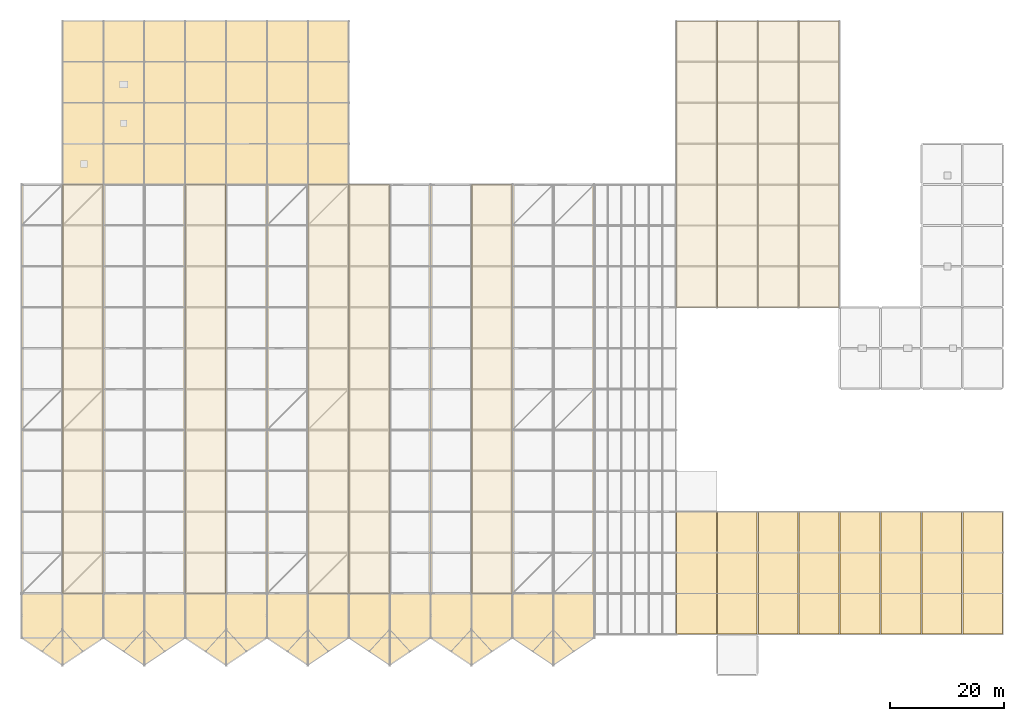
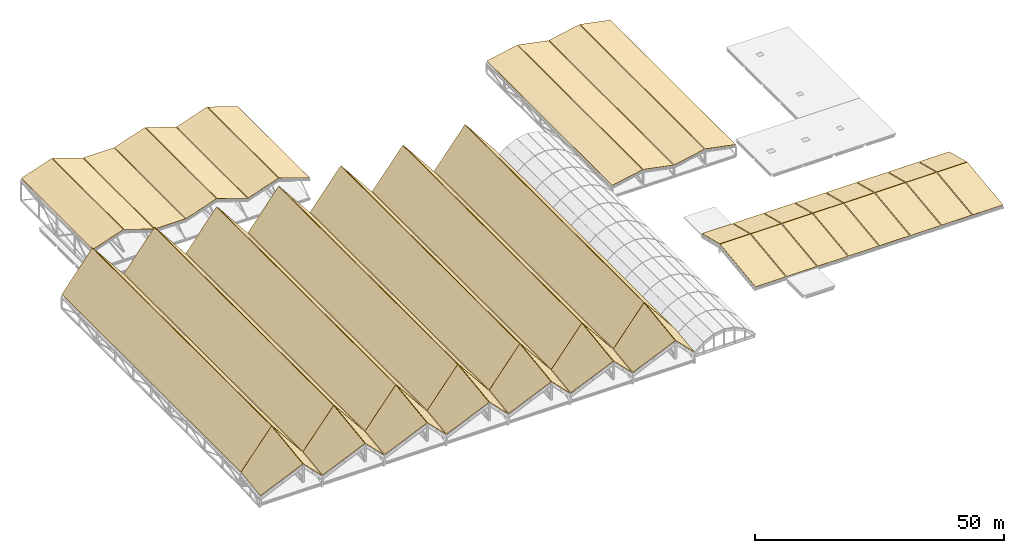
# One storey, part 60 of 60: 55 coverings.
"""IFC4 building model written with IfcOpenShell, lengths in metres."""

from ifc_helpers import new_model, si_unit, direction, frame, origin, place, context, subcontext, project, spatial, polyline, outline, extrude, material, layer, layer_set, type_object, element, save


model = new_model("IFC4")

# Units and contexts
model_context = context("Model", 3, precision=1e-05, world=origin(), true_north=direction((0.0, 1.0)))
body_context = subcontext(model_context, "Body", "Model", "MODEL_VIEW")
ifc_project = project(units=[si_unit("LENGTHUNIT", "METRE"), si_unit("AREAUNIT", "SQUARE_METRE"), si_unit("VOLUMEUNIT", "CUBIC_METRE"), si_unit("PLANEANGLEUNIT", "RADIAN"), si_unit("MASSUNIT", "GRAM", prefix="KILO")], contexts=[model_context])

# Site, building, storey
site_placement = place(None, origin())
site = spatial("IfcSite", under=ifc_project, at=site_placement, CompositionType="ELEMENT")
building_placement = place(site_placement, origin())
building = spatial("IfcBuilding", under=site, at=building_placement, Name="Vesperath Aquatics Centre", CompositionType="ELEMENT")
storey_placement = place(building_placement, frame((0.0, 0.0, 27.60009765625)))
storey = spatial("IfcBuildingStorey", under=building, at=storey_placement, Name="RF", CompositionType="ELEMENT", Elevation=27.60009765625)

# Coverings
ifc_material = material(Name="Dark patinated zinc-copper standing-seam cladding")
ifc_layer = layer(ifc_material, 0.06005859375)
ifc_layer_set = layer_set([ifc_layer], Name="Dark patinated zinc-copper standing-seam cladding")
covering_type = type_object("IfcCoveringType", Name="CV-RF01", PredefinedType="ROOFING", material=ifc_layer_set)
covering_1_placement = place(storey_placement, frame((0.06005859375, 6.60009765625, -10.1357421875), z_axis=(-0.77817761473, -0.083056395715, 0.622528099819), x_axis=(0.597157793615, -0.404869760727, 0.692447143379)))
element("IfcCovering", 1, at=covering_1_placement, inside=storey, type_object=covering_type, Name="Natatorium Zinc-Copper Standing-Seam Roofing Bay 1-W-HOOD", PredefinedType="ROOFING", context=body_context, shape_type="SweptSolid", body=[
    extrude(outline(polyline([(0.0, 0.0), (11.855798551259017, 4.440892098500626e-16), (7.918608011201905, 12.086401965225722), (-2.4373948707613535, 7.481895251595564), (0.0, 0.0)])), origin(), (0.0, 0.0, -1.0), 0.06005859375),
])
covering_2_placement = place(storey_placement, frame((0.06005859375, 14.419921875, -9.09521484375), z_axis=(-0.780879317381, 0.0, 0.624681912406), x_axis=(0.624681912406, 0.0, 0.780879317381)))
element("IfcCovering", 2, at=covering_2_placement, inside=storey, type_object=covering_type, Name="Natatorium Zinc-Copper Standing-Seam Roofing Bay 1-W-HALL", PredefinedType="ROOFING", context=body_context, shape_type="SweptSolid", body=[
    extrude(outline(polyline([(0.0, 0.0), (11.333502449440461, 0.0), (11.333502449440461, 71.97998046875), (0.0, 71.97998046875), (0.0, 0.0)])), origin(), (0.0, 0.0, -1.0), 0.06005859375),
])
covering_3_placement = place(storey_placement, frame((7.260009765625, 1.800048828125, -1.92626953125), z_axis=(0.77816703012, -0.083058130073, 0.622541099256), x_axis=(0.597171042558, 0.404864782043, -0.692438628466)))
element("IfcCovering", 3, at=covering_3_placement, inside=storey, type_object=covering_type, Name="Natatorium Zinc-Copper Standing-Seam Roofing Bay 1-E-HOOD", PredefinedType="ROOFING", context=body_context, shape_type="SweptSolid", body=[
    extrude(outline(polyline([(0.0, 0.0), (11.855944344413377, -8.881784197001252e-16), (14.29330924240528, 7.481905015829772), (3.937142124223529, 12.0864177367569), (0.0, 0.0)])), origin(), (0.0, 0.0, -1.0), 0.06005859375),
])
covering_4_placement = place(storey_placement, frame((7.260009765625, 14.419921875, -0.2451171875), z_axis=(0.780868809443, 0.0, 0.624695047554), x_axis=(0.624695047554, 0.0, -0.780868809443)))
element("IfcCovering", 4, at=covering_4_placement, inside=storey, type_object=covering_type, Name="Natatorium Zinc-Copper Standing-Seam Roofing Bay 1-E-HALL", PredefinedType="ROOFING", context=body_context, shape_type="SweptSolid", body=[
    extrude(outline(polyline([(0.0, 0.0), (11.333654961276405, 0.0), (11.333654961276405, 71.97998046875), (0.0, 71.97998046875), (0.0, 0.0)])), origin(), (0.0, 0.0, -1.0), 0.06005859375),
])
covering_5_placement = place(storey_placement, frame((14.4599609375, 6.60009765625, -10.1357421875), z_axis=(-0.77816703012, -0.083058130073, 0.622541099256), x_axis=(0.597171042558, -0.404864782043, 0.692438628466)))
element("IfcCovering", 5, at=covering_5_placement, inside=storey, type_object=covering_type, Name="Natatorium Zinc-Copper Standing-Seam Roofing Bay 2-W-HOOD", PredefinedType="ROOFING", context=body_context, shape_type="SweptSolid", body=[
    extrude(outline(polyline([(0.0, 0.0), (11.855944344413377, 8.881784197001252e-16), (7.918802220189848, 12.0864177367569), (-2.437364897991903, 7.481905015829772), (0.0, 0.0)])), origin(), (0.0, 0.0, -1.0), 0.06005859375),
])
covering_6_placement = place(storey_placement, frame((14.4599609375, 14.419921875, -9.09521484375), z_axis=(-0.780868809443, 0.0, 0.624695047554), x_axis=(0.624695047554, 0.0, 0.780868809443)))
element("IfcCovering", 6, at=covering_6_placement, inside=storey, type_object=covering_type, Name="Natatorium Zinc-Copper Standing-Seam Roofing Bay 2-W-HALL", PredefinedType="ROOFING", context=body_context, shape_type="SweptSolid", body=[
    extrude(outline(polyline([(0.0, 0.0), (11.333654961276405, 0.0), (11.333654961276405, 71.97998046875), (0.0, 71.97998046875), (0.0, 0.0)])), origin(), (0.0, 0.0, -1.0), 0.06005859375),
])
covering_7_placement = place(storey_placement, frame((21.659912109375, 1.800048828125, -1.92626953125), z_axis=(0.77816703012, -0.083058130073, 0.622541099256), x_axis=(0.597171042558, 0.404864782043, -0.692438628466)))
element("IfcCovering", 7, at=covering_7_placement, inside=storey, type_object=covering_type, Name="Natatorium Zinc-Copper Standing-Seam Roofing Bay 2-E-HOOD", PredefinedType="ROOFING", context=body_context, shape_type="SweptSolid", body=[
    extrude(outline(polyline([(0.0, 0.0), (11.855944344413377, -8.881784197001252e-16), (14.29330924240528, 7.481905015829772), (3.937142124223529, 12.0864177367569), (0.0, 0.0)])), origin(), (0.0, 0.0, -1.0), 0.06005859375),
])
covering_8_placement = place(storey_placement, frame((21.659912109375, 14.419921875, -0.2451171875), z_axis=(0.780868809443, 0.0, 0.624695047554), x_axis=(0.624695047554, 0.0, -0.780868809443)))
element("IfcCovering", 8, at=covering_8_placement, inside=storey, type_object=covering_type, Name="Natatorium Zinc-Copper Standing-Seam Roofing Bay 2-E-HALL", PredefinedType="ROOFING", context=body_context, shape_type="SweptSolid", body=[
    extrude(outline(polyline([(0.0, 0.0), (11.333654961276405, 0.0), (11.333654961276405, 71.97998046875), (0.0, 71.97998046875), (0.0, 0.0)])), origin(), (0.0, 0.0, -1.0), 0.06005859375),
])
covering_9_placement = place(storey_placement, frame((28.860107421875, 6.60009765625, -10.1357421875), z_axis=(-0.77817761473, -0.083056395715, 0.622528099819), x_axis=(0.597157793615, -0.404869760727, 0.692447143379)))
element("IfcCovering", 9, at=covering_9_placement, inside=storey, type_object=covering_type, Name="Natatorium Zinc-Copper Standing-Seam Roofing Bay 3-W-HOOD", PredefinedType="ROOFING", context=body_context, shape_type="SweptSolid", body=[
    extrude(outline(polyline([(0.0, 0.0), (11.855798551259017, 4.440892098500626e-16), (7.918608011201905, 12.086401965225722), (-2.4373948707613535, 7.481895251595564), (0.0, 0.0)])), origin(), (0.0, 0.0, -1.0), 0.06005859375),
])
covering_10_placement = place(storey_placement, frame((28.860107421875, 14.419921875, -9.09521484375), z_axis=(-0.780879317381, 0.0, 0.624681912406), x_axis=(0.624681912406, 0.0, 0.780879317381)))
element("IfcCovering", 10, at=covering_10_placement, inside=storey, type_object=covering_type, Name="Natatorium Zinc-Copper Standing-Seam Roofing Bay 3-W-HALL", PredefinedType="ROOFING", context=body_context, shape_type="SweptSolid", body=[
    extrude(outline(polyline([(0.0, 0.0), (11.333502449440461, 0.0), (11.333502449440461, 71.97998046875), (0.0, 71.97998046875), (0.0, 0.0)])), origin(), (0.0, 0.0, -1.0), 0.06005859375),
])
covering_11_placement = place(storey_placement, frame((36.06005859375, 1.800048828125, -1.92626953125), z_axis=(0.77817761473, -0.083056395715, 0.622528099819), x_axis=(0.597157793615, 0.404869760727, -0.692447143379)))
element("IfcCovering", 11, at=covering_11_placement, inside=storey, type_object=covering_type, Name="Natatorium Zinc-Copper Standing-Seam Roofing Bay 3-E-HOOD", PredefinedType="ROOFING", context=body_context, shape_type="SweptSolid", body=[
    extrude(outline(polyline([(0.0, 0.0), (11.855798551259017, -4.440892098500626e-16), (14.29319342202037, 7.481895251595563), (3.9371905400571108, 12.08640196522572), (0.0, 0.0)])), origin(), (0.0, 0.0, -1.0), 0.06005859375),
])
covering_12_placement = place(storey_placement, frame((36.06005859375, 14.419921875, -0.2451171875), z_axis=(0.780879317381, 0.0, 0.624681912406), x_axis=(0.624681912406, 0.0, -0.780879317381)))
element("IfcCovering", 12, at=covering_12_placement, inside=storey, type_object=covering_type, Name="Natatorium Zinc-Copper Standing-Seam Roofing Bay 3-E-HALL", PredefinedType="ROOFING", context=body_context, shape_type="SweptSolid", body=[
    extrude(outline(polyline([(0.0, 0.0), (11.333502449440461, 0.0), (11.333502449440461, 71.97998046875), (0.0, 71.97998046875), (0.0, 0.0)])), origin(), (0.0, 0.0, -1.0), 0.06005859375),
])
covering_13_placement = place(storey_placement, frame((43.260009765625, 6.60009765625, -10.1357421875), z_axis=(-0.77816703012, -0.083058130073, 0.622541099256), x_axis=(0.597171042558, -0.404864782043, 0.692438628466)))
element("IfcCovering", 13, at=covering_13_placement, inside=storey, type_object=covering_type, Name="Natatorium Zinc-Copper Standing-Seam Roofing Bay 4-W-HOOD", PredefinedType="ROOFING", context=body_context, shape_type="SweptSolid", body=[
    extrude(outline(polyline([(0.0, 0.0), (11.855944344413377, 8.881784197001252e-16), (7.918802220189848, 12.0864177367569), (-2.437364897991903, 7.481905015829772), (0.0, 0.0)])), origin(), (0.0, 0.0, -1.0), 0.06005859375),
])
covering_14_placement = place(storey_placement, frame((43.260009765625, 14.419921875, -9.09521484375), z_axis=(-0.780868809443, 0.0, 0.624695047554), x_axis=(0.624695047554, 0.0, 0.780868809443)))
element("IfcCovering", 14, at=covering_14_placement, inside=storey, type_object=covering_type, Name="Natatorium Zinc-Copper Standing-Seam Roofing Bay 4-W-HALL", PredefinedType="ROOFING", context=body_context, shape_type="SweptSolid", body=[
    extrude(outline(polyline([(0.0, 0.0), (11.333654961276405, 0.0), (11.333654961276405, 71.97998046875), (0.0, 71.97998046875), (0.0, 0.0)])), origin(), (0.0, 0.0, -1.0), 0.06005859375),
])
covering_15_placement = place(storey_placement, frame((50.4599609375, 1.800048828125, -1.92626953125), z_axis=(0.77816703012, -0.083058130073, 0.622541099256), x_axis=(0.597171042558, 0.404864782043, -0.692438628466)))
element("IfcCovering", 15, at=covering_15_placement, inside=storey, type_object=covering_type, Name="Natatorium Zinc-Copper Standing-Seam Roofing Bay 4-E-HOOD", PredefinedType="ROOFING", context=body_context, shape_type="SweptSolid", body=[
    extrude(outline(polyline([(0.0, 0.0), (11.855944344413377, -8.881784197001252e-16), (14.29330924240528, 7.481905015829772), (3.937142124223529, 12.0864177367569), (0.0, 0.0)])), origin(), (0.0, 0.0, -1.0), 0.06005859375),
])
covering_16_placement = place(storey_placement, frame((50.4599609375, 14.419921875, -0.2451171875), z_axis=(0.780868809443, 0.0, 0.624695047554), x_axis=(0.624695047554, 0.0, -0.780868809443)))
element("IfcCovering", 16, at=covering_16_placement, inside=storey, type_object=covering_type, Name="Natatorium Zinc-Copper Standing-Seam Roofing Bay 4-E-HALL", PredefinedType="ROOFING", context=body_context, shape_type="SweptSolid", body=[
    extrude(outline(polyline([(0.0, 0.0), (11.333654961276405, 0.0), (11.333654961276405, 71.97998046875), (0.0, 71.97998046875), (0.0, 0.0)])), origin(), (0.0, 0.0, -1.0), 0.06005859375),
])
covering_17_placement = place(storey_placement, frame((57.659912109375, 6.60009765625, -10.1357421875), z_axis=(-0.77816703012, -0.083058130073, 0.622541099256), x_axis=(0.597171042558, -0.404864782043, 0.692438628466)))
element("IfcCovering", 17, at=covering_17_placement, inside=storey, type_object=covering_type, Name="Natatorium Zinc-Copper Standing-Seam Roofing Bay 5-W-HOOD", PredefinedType="ROOFING", context=body_context, shape_type="SweptSolid", body=[
    extrude(outline(polyline([(0.0, 0.0), (11.855944344413377, 8.881784197001252e-16), (7.918802220189848, 12.0864177367569), (-2.437364897991903, 7.481905015829772), (0.0, 0.0)])), origin(), (0.0, 0.0, -1.0), 0.06005859375),
])
covering_18_placement = place(storey_placement, frame((57.659912109375, 14.419921875, -9.09521484375), z_axis=(-0.780868809443, 0.0, 0.624695047554), x_axis=(0.624695047554, 0.0, 0.780868809443)))
element("IfcCovering", 18, at=covering_18_placement, inside=storey, type_object=covering_type, Name="Natatorium Zinc-Copper Standing-Seam Roofing Bay 5-W-HALL", PredefinedType="ROOFING", context=body_context, shape_type="SweptSolid", body=[
    extrude(outline(polyline([(0.0, 0.0), (11.333654961276405, 0.0), (11.333654961276405, 71.97998046875), (0.0, 71.97998046875), (0.0, 0.0)])), origin(), (0.0, 0.0, -1.0), 0.06005859375),
])
covering_19_placement = place(storey_placement, frame((64.860107421875, 1.800048828125, -1.92626953125), z_axis=(0.77817761473, -0.083056395715, 0.622528099819), x_axis=(0.597157793615, 0.404869760727, -0.692447143379)))
element("IfcCovering", 19, at=covering_19_placement, inside=storey, type_object=covering_type, Name="Natatorium Zinc-Copper Standing-Seam Roofing Bay 5-E-HOOD", PredefinedType="ROOFING", context=body_context, shape_type="SweptSolid", body=[
    extrude(outline(polyline([(0.0, 0.0), (11.855798551259017, -4.440892098500626e-16), (14.29319342202037, 7.481895251595563), (3.9371905400571108, 12.08640196522572), (0.0, 0.0)])), origin(), (0.0, 0.0, -1.0), 0.06005859375),
])
covering_20_placement = place(storey_placement, frame((64.860107421875, 14.419921875, -0.2451171875), z_axis=(0.780879317381, 0.0, 0.624681912406), x_axis=(0.624681912406, 0.0, -0.780879317381)))
element("IfcCovering", 20, at=covering_20_placement, inside=storey, type_object=covering_type, Name="Natatorium Zinc-Copper Standing-Seam Roofing Bay 5-E-HALL", PredefinedType="ROOFING", context=body_context, shape_type="SweptSolid", body=[
    extrude(outline(polyline([(0.0, 0.0), (11.333502449440461, 0.0), (11.333502449440461, 71.97998046875), (0.0, 71.97998046875), (0.0, 0.0)])), origin(), (0.0, 0.0, -1.0), 0.06005859375),
])
covering_21_placement = place(storey_placement, frame((72.06005859375, 6.60009765625, -10.1357421875), z_axis=(-0.77817761473, -0.083056395715, 0.622528099819), x_axis=(0.597157793615, -0.404869760727, 0.692447143379)))
element("IfcCovering", 21, at=covering_21_placement, inside=storey, type_object=covering_type, Name="Natatorium Zinc-Copper Standing-Seam Roofing Bay 6-W-HOOD", PredefinedType="ROOFING", context=body_context, shape_type="SweptSolid", body=[
    extrude(outline(polyline([(0.0, 0.0), (11.855798551259017, 4.440892098500626e-16), (7.918608011201905, 12.086401965225722), (-2.4373948707613535, 7.481895251595564), (0.0, 0.0)])), origin(), (0.0, 0.0, -1.0), 0.06005859375),
])
covering_22_placement = place(storey_placement, frame((72.06005859375, 14.419921875, -9.09521484375), z_axis=(-0.780879317381, 0.0, 0.624681912406), x_axis=(0.624681912406, 0.0, 0.780879317381)))
element("IfcCovering", 22, at=covering_22_placement, inside=storey, type_object=covering_type, Name="Natatorium Zinc-Copper Standing-Seam Roofing Bay 6-W-HALL", PredefinedType="ROOFING", context=body_context, shape_type="SweptSolid", body=[
    extrude(outline(polyline([(0.0, 0.0), (11.333502449440461, 0.0), (11.333502449440461, 71.97998046875), (0.0, 71.97998046875), (0.0, 0.0)])), origin(), (0.0, 0.0, -1.0), 0.06005859375),
])
covering_23_placement = place(storey_placement, frame((79.260009765625, 1.800048828125, -1.92626953125), z_axis=(0.77816703012, -0.083058130073, 0.622541099256), x_axis=(0.597171042558, 0.404864782043, -0.692438628466)))
element("IfcCovering", 23, at=covering_23_placement, inside=storey, type_object=covering_type, Name="Natatorium Zinc-Copper Standing-Seam Roofing Bay 6-E-HOOD", PredefinedType="ROOFING", context=body_context, shape_type="SweptSolid", body=[
    extrude(outline(polyline([(0.0, 0.0), (11.855944344413377, -8.881784197001252e-16), (14.29330924240528, 7.481905015829772), (3.937142124223529, 12.0864177367569), (0.0, 0.0)])), origin(), (0.0, 0.0, -1.0), 0.06005859375),
])
covering_24_placement = place(storey_placement, frame((79.260009765625, 14.419921875, -0.2451171875), z_axis=(0.780868809443, 0.0, 0.624695047554), x_axis=(0.624695047554, 0.0, -0.780868809443)))
element("IfcCovering", 24, at=covering_24_placement, inside=storey, type_object=covering_type, Name="Natatorium Zinc-Copper Standing-Seam Roofing Bay 6-E-HALL", PredefinedType="ROOFING", context=body_context, shape_type="SweptSolid", body=[
    extrude(outline(polyline([(0.0, 0.0), (11.333654961276405, 0.0), (11.333654961276405, 71.97998046875), (0.0, 71.97998046875), (0.0, 0.0)])), origin(), (0.0, 0.0, -1.0), 0.06005859375),
])
covering_25_placement = place(storey_placement, frame((86.4599609375, 6.60009765625, -10.1357421875), z_axis=(-0.77816703012, -0.083058130073, 0.622541099256), x_axis=(0.597171042558, -0.404864782043, 0.692438628466)))
element("IfcCovering", 25, at=covering_25_placement, inside=storey, type_object=covering_type, Name="Natatorium Zinc-Copper Standing-Seam Roofing Bay 7-W-HOOD", PredefinedType="ROOFING", context=body_context, shape_type="SweptSolid", body=[
    extrude(outline(polyline([(0.0, 0.0), (11.855944344413377, 8.881784197001252e-16), (7.918802220189848, 12.0864177367569), (-2.437364897991903, 7.481905015829772), (0.0, 0.0)])), origin(), (0.0, 0.0, -1.0), 0.06005859375),
])
covering_26_placement = place(storey_placement, frame((86.4599609375, 14.419921875, -9.09521484375), z_axis=(-0.780868809443, 0.0, 0.624695047554), x_axis=(0.624695047554, 0.0, 0.780868809443)))
element("IfcCovering", 26, at=covering_26_placement, inside=storey, type_object=covering_type, Name="Natatorium Zinc-Copper Standing-Seam Roofing Bay 7-W-HALL", PredefinedType="ROOFING", context=body_context, shape_type="SweptSolid", body=[
    extrude(outline(polyline([(0.0, 0.0), (11.333654961276405, 0.0), (11.333654961276405, 71.97998046875), (0.0, 71.97998046875), (0.0, 0.0)])), origin(), (0.0, 0.0, -1.0), 0.06005859375),
])
covering_27_placement = place(storey_placement, frame((93.659912109375, 1.800048828125, -1.92626953125), z_axis=(0.77816703012, -0.083058130073, 0.622541099256), x_axis=(0.597171042558, 0.404864782043, -0.692438628466)))
element("IfcCovering", 27, at=covering_27_placement, inside=storey, type_object=covering_type, Name="Natatorium Zinc-Copper Standing-Seam Roofing Bay 7-E-HOOD", PredefinedType="ROOFING", context=body_context, shape_type="SweptSolid", body=[
    extrude(outline(polyline([(0.0, 0.0), (11.855944344413377, -8.881784197001252e-16), (14.29330924240528, 7.481905015829772), (3.937142124223529, 12.0864177367569), (0.0, 0.0)])), origin(), (0.0, 0.0, -1.0), 0.06005859375),
])
covering_28_placement = place(storey_placement, frame((93.659912109375, 14.419921875, -0.2451171875), z_axis=(0.780868809443, 0.0, 0.624695047554), x_axis=(0.624695047554, 0.0, -0.780868809443)))
element("IfcCovering", 28, at=covering_28_placement, inside=storey, type_object=covering_type, Name="Natatorium Zinc-Copper Standing-Seam Roofing Bay 7-E-HALL", PredefinedType="ROOFING", context=body_context, shape_type="SweptSolid", body=[
    extrude(outline(polyline([(0.0, 0.0), (11.333654961276405, 0.0), (11.333654961276405, 71.97998046875), (0.0, 71.97998046875), (0.0, 0.0)])), origin(), (0.0, 0.0, -1.0), 0.06005859375),
])
for number, where, z_axis, x_axis, name in (
    (29, (7.280029296875, 86.39990234375, -0.650146484375), (-0.322689967467, 0.0, 0.946504719955), (0.946504719955, 0.0, 0.322689967467), "Diving Hall Zinc-Copper Roofing Bay 1"),
    (30, (14.47998046875, 86.39990234375, 1.75), (0.322689967467, 0.0, 0.946504719955), (0.946504719955, 0.0, -0.322689967467), "Diving Hall Zinc-Copper Roofing Bay 2"),
):
    element("IfcCovering", number, at=place(storey_placement, frame(where, z_axis=z_axis, x_axis=x_axis)), inside=storey, type_object=covering_type, Name=name, PredefinedType="ROOFING", context=body_context, shape_type="SweptSolid", body=[
        extrude(outline(polyline([(0.0, 0.0), (7.437933392279306, 0.0), (7.437933392279306, 28.800048828125007), (0.0, 28.800048828125007), (0.0, 0.0)])), origin(), (0.0, 0.0, -1.0), 0.06005859375),
    ])
covering_29_placement = place(storey_placement, frame((21.679931640625, 86.39990234375, -0.650146484375), z_axis=(0.0, 0.0, 1.0), x_axis=(1.0, 0.0, 0.0)))
element("IfcCovering", 31, at=covering_29_placement, inside=storey, type_object=covering_type, Name="Diving Hall Zinc-Copper Roofing Bay 3", PredefinedType="ROOFING", context=body_context, shape_type="SweptSolid", body=[
    extrude(outline(polyline([(0.0, 0.0), (7.0400390625, 0.0), (7.0400390625, 28.800048828125), (0.0, 28.800048828125), (0.0, 0.0)])), origin(), (0.0, 0.0, -1.0), 0.06005859375),
])
for number, where, z_axis, x_axis, name in (
    (32, (28.8798828125, 86.39990234375, -0.650146484375), (-0.322689967467, 0.0, 0.946504719955), (0.946504719955, 0.0, 0.322689967467), "Diving Hall Zinc-Copper Roofing Bay 4"),
    (33, (36.080078125, 86.39990234375, 1.75), (0.322689967467, 0.0, 0.946504719955), (0.946504719955, 0.0, -0.322689967467), "Diving Hall Zinc-Copper Roofing Bay 5"),
    (34, (43.280029296875, 86.39990234375, -0.650146484375), (-0.322689967467, 0.0, 0.946504719955), (0.946504719955, 0.0, 0.322689967467), "Diving Hall Zinc-Copper Roofing Bay 6"),
    (35, (50.47998046875, 86.39990234375, 1.75), (0.322689967467, 0.0, 0.946504719955), (0.946504719955, 0.0, -0.322689967467), "Diving Hall Zinc-Copper Roofing Bay 7"),
):
    element("IfcCovering", number, at=place(storey_placement, frame(where, z_axis=z_axis, x_axis=x_axis)), inside=storey, type_object=covering_type, Name=name, PredefinedType="ROOFING", context=body_context, shape_type="SweptSolid", body=[
        extrude(outline(polyline([(0.0, 0.0), (7.437933392279306, 0.0), (7.437933392279306, 28.800048828125007), (0.0, 28.800048828125007), (0.0, 0.0)])), origin(), (0.0, 0.0, -1.0), 0.06005859375),
    ])
for number, where, z_axis, x_axis, name in (
    (36, (115.280029296875, 64.800048828125, -9.670166015625), (-0.195062935976, 0.0, 0.980790727428), (0.980790727428, 0.0, 0.195062935976), "Training Wing Zinc-Copper Roofing Bay 1"),
    (37, (122.47998046875, 64.800048828125, -8.27001953125), (0.195062935976, 0.0, 0.980790727428), (0.980790727428, 0.0, -0.195062935976), "Training Wing Zinc-Copper Roofing Bay 2"),
    (38, (129.679931640625, 64.800048828125, -9.670166015625), (-0.195062935976, 0.0, 0.980790727428), (0.980790727428, 0.0, 0.195062935976), "Training Wing Zinc-Copper Roofing Bay 3"),
    (39, (136.8798828125, 64.800048828125, -8.27001953125), (0.195062935976, 0.0, 0.980790727428), (0.980790727428, 0.0, -0.195062935976), "Training Wing Zinc-Copper Roofing Bay 4"),
):
    element("IfcCovering", number, at=place(storey_placement, frame(where, z_axis=z_axis, x_axis=x_axis)), inside=storey, type_object=covering_type, Name=name, PredefinedType="ROOFING", context=body_context, shape_type="SweptSolid", body=[
        extrude(outline(polyline([(0.0, 0.0), (7.177921717268415, 0.0), (7.177921717268415, 50.39990234375), (0.0, 50.39990234375), (0.0, 0.0)])), origin(), (0.0, 0.0, -1.0), 0.06005859375),
    ])
covering_30_placement = place(storey_placement, frame((115.300048828125, 7.239990234375, 0.369873046875), z_axis=(0.0, -0.124805543827, 0.992181221466), x_axis=(1.0, 0.0, 0.0)))
element("IfcCovering", 40, at=covering_30_placement, inside=storey, type_object=covering_type, Name="Boulevard Zinc-Copper Roofing S-17", PredefinedType="ROOFING", context=body_context, shape_type="SweptSolid", body=[
    extrude(outline(polyline([(0.0, 0.0), (7.0, 0.0), (7.0, 14.422827487708242), (0.0, 14.422827487708242), (0.0, 0.0)])), origin(), (0.0, 0.0, -1.0), 0.06005859375),
])
covering_31_placement = place(storey_placement, frame((115.300048828125, 21.64990234375, 2.169921875), z_axis=(0.0, 0.245424638793, 0.969415672802), x_axis=(1.0, 0.0, 0.0)))
element("IfcCovering", 41, at=covering_31_placement, inside=storey, type_object=covering_type, Name="Boulevard Zinc-Copper Roofing N-17", PredefinedType="ROOFING", context=body_context, shape_type="SweptSolid", body=[
    extrude(outline(polyline([(0.0, 0.0), (7.0, 0.0), (7.0, 7.3344259035207475), (0.0, 7.3344259035207475), (0.0, 0.0)])), origin(), (0.0, 0.0, -1.0), 0.06005859375),
])
covering_32_placement = place(storey_placement, frame((122.5, 7.239990234375, 0.369873046875), z_axis=(0.0, -0.124805543827, 0.992181221466), x_axis=(1.0, 0.0, 0.0)))
element("IfcCovering", 42, at=covering_32_placement, inside=storey, type_object=covering_type, Name="Boulevard Zinc-Copper Roofing S-18", PredefinedType="ROOFING", context=body_context, shape_type="SweptSolid", body=[
    extrude(outline(polyline([(0.0, 0.0), (7.0, 0.0), (7.0, 14.422827487708242), (0.0, 14.422827487708242), (0.0, 0.0)])), origin(), (0.0, 0.0, -1.0), 0.06005859375),
])
covering_33_placement = place(storey_placement, frame((122.5, 21.64990234375, 2.169921875), z_axis=(0.0, 0.245424638793, 0.969415672802), x_axis=(1.0, 0.0, 0.0)))
element("IfcCovering", 43, at=covering_33_placement, inside=storey, type_object=covering_type, Name="Boulevard Zinc-Copper Roofing N-18", PredefinedType="ROOFING", context=body_context, shape_type="SweptSolid", body=[
    extrude(outline(polyline([(0.0, 0.0), (7.0, 0.0), (7.0, 7.3344259035207475), (0.0, 7.3344259035207475), (0.0, 0.0)])), origin(), (0.0, 0.0, -1.0), 0.06005859375),
])
covering_34_placement = place(storey_placement, frame((129.699951171875, 7.239990234375, 0.369873046875), z_axis=(0.0, -0.124805543827, 0.992181221466), x_axis=(1.0, 0.0, 0.0)))
element("IfcCovering", 44, at=covering_34_placement, inside=storey, type_object=covering_type, Name="Boulevard Zinc-Copper Roofing S-19", PredefinedType="ROOFING", context=body_context, shape_type="SweptSolid", body=[
    extrude(outline(polyline([(0.0, 0.0), (7.0, 0.0), (7.0, 14.422827487708242), (0.0, 14.422827487708242), (0.0, 0.0)])), origin(), (0.0, 0.0, -1.0), 0.06005859375),
])
covering_35_placement = place(storey_placement, frame((129.699951171875, 21.64990234375, 2.169921875), z_axis=(0.0, 0.245424638793, 0.969415672802), x_axis=(1.0, 0.0, 0.0)))
element("IfcCovering", 45, at=covering_35_placement, inside=storey, type_object=covering_type, Name="Boulevard Zinc-Copper Roofing N-19", PredefinedType="ROOFING", context=body_context, shape_type="SweptSolid", body=[
    extrude(outline(polyline([(0.0, 0.0), (7.0, 0.0), (7.0, 7.3344259035207475), (0.0, 7.3344259035207475), (0.0, 0.0)])), origin(), (0.0, 0.0, -1.0), 0.06005859375),
])
covering_36_placement = place(storey_placement, frame((136.89990234375, 7.239990234375, 0.369873046875), z_axis=(0.0, -0.124805543827, 0.992181221466), x_axis=(1.0, 0.0, 0.0)))
element("IfcCovering", 46, at=covering_36_placement, inside=storey, type_object=covering_type, Name="Boulevard Zinc-Copper Roofing S-20", PredefinedType="ROOFING", context=body_context, shape_type="SweptSolid", body=[
    extrude(outline(polyline([(0.0, 0.0), (7.0, 0.0), (7.0, 14.422827487708242), (0.0, 14.422827487708242), (0.0, 0.0)])), origin(), (0.0, 0.0, -1.0), 0.06005859375),
])
covering_37_placement = place(storey_placement, frame((136.89990234375, 21.64990234375, 2.169921875), z_axis=(0.0, 0.245424638793, 0.969415672802), x_axis=(1.0, 0.0, 0.0)))
element("IfcCovering", 47, at=covering_37_placement, inside=storey, type_object=covering_type, Name="Boulevard Zinc-Copper Roofing N-20", PredefinedType="ROOFING", context=body_context, shape_type="SweptSolid", body=[
    extrude(outline(polyline([(0.0, 0.0), (7.0, 0.0), (7.0, 7.3344259035207475), (0.0, 7.3344259035207475), (0.0, 0.0)])), origin(), (0.0, 0.0, -1.0), 0.06005859375),
])
covering_38_placement = place(storey_placement, frame((144.10009765625, 7.239990234375, 0.369873046875), z_axis=(0.0, -0.124805543827, 0.992181221466), x_axis=(1.0, 0.0, 0.0)))
element("IfcCovering", 48, at=covering_38_placement, inside=storey, type_object=covering_type, Name="Boulevard Zinc-Copper Roofing S-21", PredefinedType="ROOFING", context=body_context, shape_type="SweptSolid", body=[
    extrude(outline(polyline([(0.0, 0.0), (7.0, 0.0), (7.0, 14.422827487708242), (0.0, 14.422827487708242), (0.0, 0.0)])), origin(), (0.0, 0.0, -1.0), 0.06005859375),
])
covering_39_placement = place(storey_placement, frame((144.10009765625, 21.64990234375, 2.169921875), z_axis=(0.0, 0.245424638793, 0.969415672802), x_axis=(1.0, 0.0, 0.0)))
element("IfcCovering", 49, at=covering_39_placement, inside=storey, type_object=covering_type, Name="Boulevard Zinc-Copper Roofing N-21", PredefinedType="ROOFING", context=body_context, shape_type="SweptSolid", body=[
    extrude(outline(polyline([(0.0, 0.0), (7.0, 0.0), (7.0, 7.3344259035207475), (0.0, 7.3344259035207475), (0.0, 0.0)])), origin(), (0.0, 0.0, -1.0), 0.06005859375),
])
covering_40_placement = place(storey_placement, frame((151.300048828125, 7.239990234375, 0.369873046875), z_axis=(0.0, -0.124805543827, 0.992181221466), x_axis=(1.0, 0.0, 0.0)))
element("IfcCovering", 50, at=covering_40_placement, inside=storey, type_object=covering_type, Name="Boulevard Zinc-Copper Roofing S-22", PredefinedType="ROOFING", context=body_context, shape_type="SweptSolid", body=[
    extrude(outline(polyline([(0.0, 0.0), (7.0, 0.0), (7.0, 14.422827487708242), (0.0, 14.422827487708242), (0.0, 0.0)])), origin(), (0.0, 0.0, -1.0), 0.06005859375),
])
covering_41_placement = place(storey_placement, frame((151.300048828125, 21.64990234375, 2.169921875), z_axis=(0.0, 0.245424638793, 0.969415672802), x_axis=(1.0, 0.0, 0.0)))
element("IfcCovering", 51, at=covering_41_placement, inside=storey, type_object=covering_type, Name="Boulevard Zinc-Copper Roofing N-22", PredefinedType="ROOFING", context=body_context, shape_type="SweptSolid", body=[
    extrude(outline(polyline([(0.0, 0.0), (7.0, 0.0), (7.0, 7.3344259035207475), (0.0, 7.3344259035207475), (0.0, 0.0)])), origin(), (0.0, 0.0, -1.0), 0.06005859375),
])
covering_42_placement = place(storey_placement, frame((158.5, 7.239990234375, 0.369873046875), z_axis=(0.0, -0.124805543827, 0.992181221466), x_axis=(1.0, 0.0, 0.0)))
element("IfcCovering", 52, at=covering_42_placement, inside=storey, type_object=covering_type, Name="Boulevard Zinc-Copper Roofing S-23", PredefinedType="ROOFING", context=body_context, shape_type="SweptSolid", body=[
    extrude(outline(polyline([(0.0, 0.0), (7.0, 0.0), (7.0, 14.422827487708242), (0.0, 14.422827487708242), (0.0, 0.0)])), origin(), (0.0, 0.0, -1.0), 0.06005859375),
])
covering_43_placement = place(storey_placement, frame((158.5, 21.64990234375, 2.169921875), z_axis=(0.0, 0.245424638793, 0.969415672802), x_axis=(1.0, 0.0, 0.0)))
element("IfcCovering", 53, at=covering_43_placement, inside=storey, type_object=covering_type, Name="Boulevard Zinc-Copper Roofing N-23", PredefinedType="ROOFING", context=body_context, shape_type="SweptSolid", body=[
    extrude(outline(polyline([(0.0, 0.0), (7.0, 0.0), (7.0, 7.3344259035207475), (0.0, 7.3344259035207475), (0.0, 0.0)])), origin(), (0.0, 0.0, -1.0), 0.06005859375),
])
covering_44_placement = place(storey_placement, frame((165.699951171875, 7.239990234375, 0.369873046875), z_axis=(0.0, -0.124805543827, 0.992181221466), x_axis=(1.0, 0.0, 0.0)))
element("IfcCovering", 54, at=covering_44_placement, inside=storey, type_object=covering_type, Name="Boulevard Zinc-Copper Roofing S-24", PredefinedType="ROOFING", context=body_context, shape_type="SweptSolid", body=[
    extrude(outline(polyline([(0.0, 0.0), (7.0, 0.0), (7.0, 14.422827487708242), (0.0, 14.422827487708242), (0.0, 0.0)])), origin(), (0.0, 0.0, -1.0), 0.06005859375),
])
covering_45_placement = place(storey_placement, frame((165.699951171875, 21.64990234375, 2.169921875), z_axis=(0.0, 0.245424638793, 0.969415672802), x_axis=(1.0, 0.0, 0.0)))
element("IfcCovering", 55, at=covering_45_placement, inside=storey, type_object=covering_type, Name="Boulevard Zinc-Copper Roofing N-24", PredefinedType="ROOFING", context=body_context, shape_type="SweptSolid", body=[
    extrude(outline(polyline([(0.0, 0.0), (7.0, 0.0), (7.0, 7.3344259035207475), (0.0, 7.3344259035207475), (0.0, 0.0)])), origin(), (0.0, 0.0, -1.0), 0.06005859375),
])

save(model, "model.ifc")
